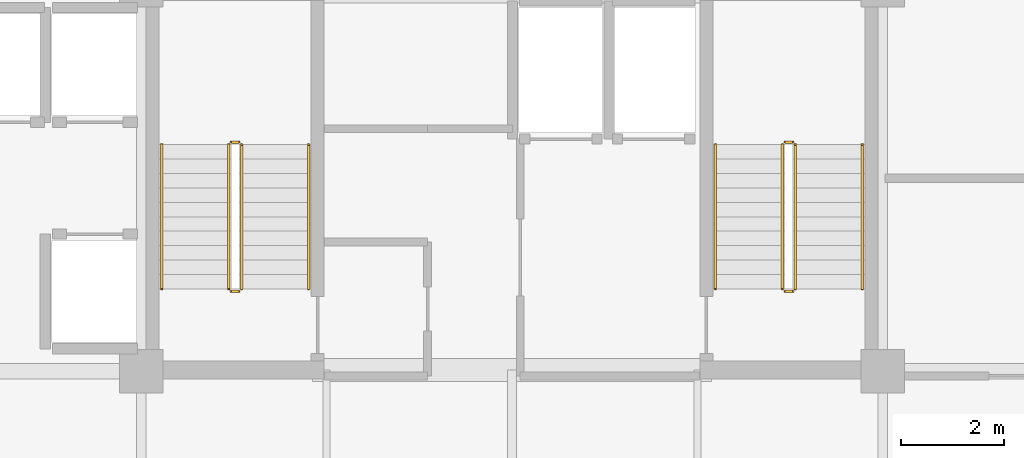
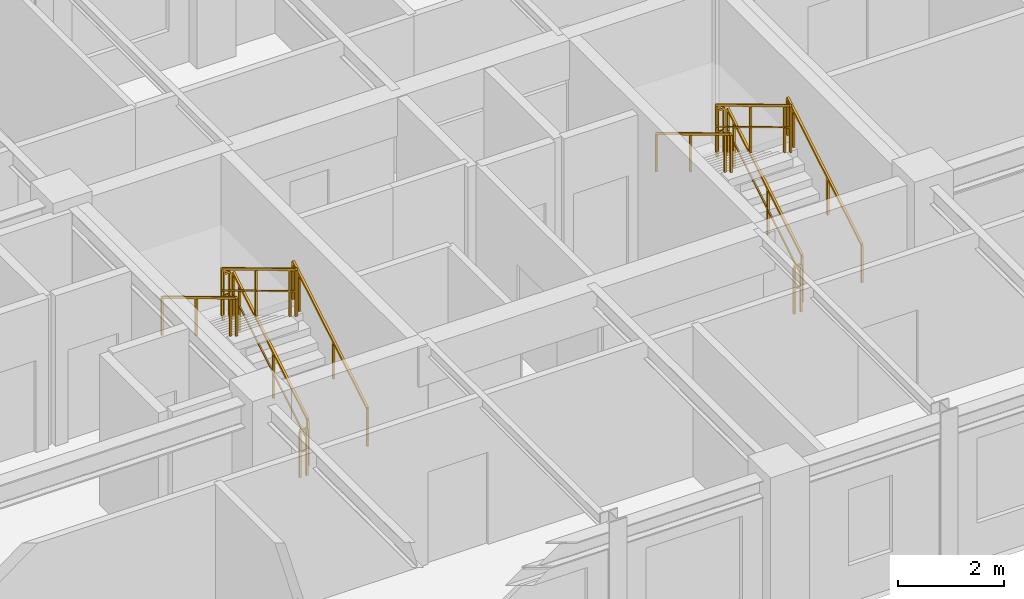
# One storey, part 10 of 11: 12 railings.
"""IFC4 building model written with IfcOpenShell, lengths in metres."""

from ifc_helpers import new_model, si_unit, direction, frame, origin, origin_2d, place, context, subcontext, project, spatial, rectangle, extrude, material, type_object, element, save


model = new_model("IFC4")

# Units and contexts
model_context = context("Model", 3, precision=1e-05, world=origin(), true_north=direction((0.0, 1.0)))
body_context = subcontext(model_context, "Body", "Model", "MODEL_VIEW")
ifc_project = project(units=[si_unit("LENGTHUNIT", "METRE"), si_unit("AREAUNIT", "SQUARE_METRE"), si_unit("VOLUMEUNIT", "CUBIC_METRE"), si_unit("PLANEANGLEUNIT", "RADIAN"), si_unit("MASSUNIT", "GRAM", prefix="KILO")], contexts=[model_context])

# Site, building, storey
site_placement = place(None, origin())
site = spatial("IfcSite", under=ifc_project, at=site_placement, CompositionType="ELEMENT")
building_placement = place(site_placement, origin())
building = spatial("IfcBuilding", under=site, at=building_placement, Name="Kaliganga Portal Commons", CompositionType="ELEMENT")
storey_placement = place(building_placement, frame((0.0, 0.0, 253.60009765625)))
storey = spatial("IfcBuildingStorey", under=building, at=storey_placement, Name="L65", CompositionType="ELEMENT", Elevation=253.60009765625)

# Railings
ifc_material_1 = material(Name="Galvanized Painted Steel Balustrade", Category="steel")
railing_type_1 = type_object("IfcRailingType", Name="RLG-STAIR-GRD", PredefinedType="GUARDRAIL", material=ifc_material_1)
railing_1_placement = place(storey_placement, frame((16.35009765625, 30.25, 0.16796875)))
element("IfcRailing", 1, at=railing_1_placement, inside=storey, type_object=railing_type_1, Name="L65 ST-A1 stair guard 1", PredefinedType="GUARDRAIL", context=body_context, shape_type="SweptSolid", body=[
    extrude(rectangle(XDim=0.048095703125, YDim=0.048095703125, at=origin_2d()), frame((0.0, 0.0, 1.072021484375), z_axis=(0.0, 0.857242210791, 0.514913383045), x_axis=(-1.0, 0.0, 0.0)), (0.0, 0.0, 1.0), 3.266357421875),
    extrude(rectangle(XDim=0.028076171875, YDim=0.028076171875, at=origin_2d()), frame((0.0, 0.0, 0.572021484375), z_axis=(0.0, 0.857242210791, 0.514913383045), x_axis=(-1.0, 0.0, 0.0)), (0.0, 0.0, 1.0), 3.266357421875),
    extrude(rectangle(XDim=0.0419921875, YDim=0.0419921875, at=origin_2d()), origin(), (0.0, 0.0, 1.0), 1.052001953125),
    extrude(rectangle(XDim=0.0419921875, YDim=0.0419921875, at=origin_2d()), frame((0.0, 1.285888671875, 0.7724609375)), (0.0, 0.0, 1.0), 1.052001953125),
    extrude(rectangle(XDim=0.0419921875, YDim=0.0419921875, at=origin_2d()), frame((0.0, 2.57177734375, 1.544677734375)), (0.0, 0.0, 1.0), 1.052001953125),
    extrude(rectangle(XDim=0.0419921875, YDim=0.0419921875, at=origin_2d()), frame((0.0, 2.800048828125, 1.681884765625)), (0.0, 0.0, 1.0), 1.052001953125),
])
railing_2_placement = place(storey_placement, frame((16.300048828125, 33.10009765625, 1.849853515625)))
element("IfcRailing", 2, at=railing_2_placement, inside=storey, type_object=railing_type_1, Name="L65 ST-A1 stair guard 2", PredefinedType="GUARDRAIL", context=body_context, shape_type="SweptSolid", body=[
    extrude(rectangle(XDim=0.048095703125, YDim=0.048095703125, at=origin_2d()), frame((0.0, 0.0, 1.076171875), z_axis=(-1.0, 0.0, 0.0), x_axis=(0.0, -1.0, 0.0)), (0.0, 0.0, 1.0), 0.150146484375),
    extrude(rectangle(XDim=0.028076171875, YDim=0.028076171875, at=origin_2d()), frame((0.0, 0.0, 0.572021484375), z_axis=(-1.0, 0.0, 0.0), x_axis=(0.0, -1.0, 0.0)), (0.0, 0.0, 1.0), 0.150146484375),
    extrude(rectangle(XDim=0.0419921875, YDim=0.0419921875, at=origin_2d()), origin(), (0.0, 0.0, 1.0), 1.052001953125),
    extrude(rectangle(XDim=0.0419921875, YDim=0.0419921875, at=origin_2d()), frame((-0.150146484375, 0.0, 0.0)), (0.0, 0.0, 1.0), 1.052001953125),
])
railing_3_placement = place(storey_placement, frame((16.10009765625, 33.050048828125, 2.01806640625)))
element("IfcRailing", 3, at=railing_3_placement, inside=storey, type_object=railing_type_1, Name="L65 ST-A1 stair guard 3", PredefinedType="GUARDRAIL", context=body_context, shape_type="SweptSolid", body=[
    extrude(rectangle(XDim=0.048095703125, YDim=0.048095703125, at=origin_2d()), frame((0.0, 0.0, 1.072021484375), z_axis=(0.0, -0.857242210791, 0.514913383045), x_axis=(1.0, 0.0, 0.0)), (0.0, 0.0, 1.0), 3.266357421875),
    extrude(rectangle(XDim=0.028076171875, YDim=0.028076171875, at=origin_2d()), frame((0.0, 0.0, 0.572021484375), z_axis=(0.0, -0.857242210791, 0.514913383045), x_axis=(1.0, 0.0, 0.0)), (0.0, 0.0, 1.0), 3.266357421875),
    extrude(rectangle(XDim=0.0419921875, YDim=0.0419921875, at=origin_2d()), origin(), (0.0, 0.0, 1.0), 1.052001953125),
    extrude(rectangle(XDim=0.0419921875, YDim=0.0419921875, at=origin_2d()), frame((0.0, -1.285888671875, 0.7724609375)), (0.0, 0.0, 1.0), 1.052001953125),
    extrude(rectangle(XDim=0.0419921875, YDim=0.0419921875, at=origin_2d()), frame((0.0, -2.57177734375, 1.544677734375)), (0.0, 0.0, 1.0), 1.052001953125),
    extrude(rectangle(XDim=0.0419921875, YDim=0.0419921875, at=origin_2d()), frame((0.0, -2.800048828125, 1.681884765625)), (0.0, 0.0, 1.0), 1.052001953125),
])
railing_4_placement = place(storey_placement, frame((16.300048828125, 30.199951171875, 0.0)))
element("IfcRailing", 4, at=railing_4_placement, inside=storey, type_object=railing_type_1, Name="L65 ST-A1 stair guard 4", PredefinedType="GUARDRAIL", context=body_context, shape_type="SweptSolid", body=[
    extrude(rectangle(XDim=0.048095703125, YDim=0.048095703125, at=origin_2d()), frame((0.0, 0.0, 1.076171875), z_axis=(-1.0, 0.0, 0.0), x_axis=(0.0, -1.0, 0.0)), (0.0, 0.0, 1.0), 0.150146484375),
    extrude(rectangle(XDim=0.028076171875, YDim=0.028076171875, at=origin_2d()), frame((0.0, 0.0, 0.572021484375), z_axis=(-1.0, 0.0, 0.0), x_axis=(0.0, -1.0, 0.0)), (0.0, 0.0, 1.0), 0.150146484375),
    extrude(rectangle(XDim=0.0419921875, YDim=0.0419921875, at=origin_2d()), origin(), (0.0, 0.0, 1.0), 1.052001953125),
    extrude(rectangle(XDim=0.0419921875, YDim=0.0419921875, at=origin_2d()), frame((-0.150146484375, 0.0, 0.0)), (0.0, 0.0, 1.0), 1.052001953125),
])
railing_5_placement = place(storey_placement, frame((27.10009765625, 30.25, 0.16796875)))
element("IfcRailing", 5, at=railing_5_placement, inside=storey, type_object=railing_type_1, Name="L65 ST-A2 stair guard 1", PredefinedType="GUARDRAIL", context=body_context, shape_type="SweptSolid", body=[
    extrude(rectangle(XDim=0.048095703125, YDim=0.048095703125, at=origin_2d()), frame((0.0, 0.0, 1.072021484375), z_axis=(0.0, 0.857242210791, 0.514913383045), x_axis=(-1.0, 0.0, 0.0)), (0.0, 0.0, 1.0), 3.266357421875),
    extrude(rectangle(XDim=0.028076171875, YDim=0.028076171875, at=origin_2d()), frame((0.0, 0.0, 0.572021484375), z_axis=(0.0, 0.857242210791, 0.514913383045), x_axis=(-1.0, 0.0, 0.0)), (0.0, 0.0, 1.0), 3.266357421875),
    extrude(rectangle(XDim=0.0419921875, YDim=0.0419921875, at=origin_2d()), origin(), (0.0, 0.0, 1.0), 1.052001953125),
    extrude(rectangle(XDim=0.0419921875, YDim=0.0419921875, at=origin_2d()), frame((0.0, 1.285888671875, 0.7724609375)), (0.0, 0.0, 1.0), 1.052001953125),
    extrude(rectangle(XDim=0.0419921875, YDim=0.0419921875, at=origin_2d()), frame((0.0, 2.57177734375, 1.544677734375)), (0.0, 0.0, 1.0), 1.052001953125),
    extrude(rectangle(XDim=0.0419921875, YDim=0.0419921875, at=origin_2d()), frame((0.0, 2.800048828125, 1.681884765625)), (0.0, 0.0, 1.0), 1.052001953125),
])
railing_6_placement = place(storey_placement, frame((27.050048828125, 33.10009765625, 1.849853515625)))
element("IfcRailing", 6, at=railing_6_placement, inside=storey, type_object=railing_type_1, Name="L65 ST-A2 stair guard 2", PredefinedType="GUARDRAIL", context=body_context, shape_type="SweptSolid", body=[
    extrude(rectangle(XDim=0.048095703125, YDim=0.048095703125, at=origin_2d()), frame((0.0, 0.0, 1.076171875), z_axis=(-1.0, 0.0, 0.0), x_axis=(0.0, -1.0, 0.0)), (0.0, 0.0, 1.0), 0.150146484375),
    extrude(rectangle(XDim=0.028076171875, YDim=0.028076171875, at=origin_2d()), frame((0.0, 0.0, 0.572021484375), z_axis=(-1.0, 0.0, 0.0), x_axis=(0.0, -1.0, 0.0)), (0.0, 0.0, 1.0), 0.150146484375),
    extrude(rectangle(XDim=0.0419921875, YDim=0.0419921875, at=origin_2d()), origin(), (0.0, 0.0, 1.0), 1.052001953125),
    extrude(rectangle(XDim=0.0419921875, YDim=0.0419921875, at=origin_2d()), frame((-0.150146484375, 0.0, 0.0)), (0.0, 0.0, 1.0), 1.052001953125),
])
railing_7_placement = place(storey_placement, frame((26.85009765625, 33.050048828125, 2.01806640625)))
element("IfcRailing", 7, at=railing_7_placement, inside=storey, type_object=railing_type_1, Name="L65 ST-A2 stair guard 3", PredefinedType="GUARDRAIL", context=body_context, shape_type="SweptSolid", body=[
    extrude(rectangle(XDim=0.048095703125, YDim=0.048095703125, at=origin_2d()), frame((0.0, 0.0, 1.072021484375), z_axis=(0.0, -0.857242210791, 0.514913383045), x_axis=(1.0, 0.0, 0.0)), (0.0, 0.0, 1.0), 3.266357421875),
    extrude(rectangle(XDim=0.028076171875, YDim=0.028076171875, at=origin_2d()), frame((0.0, 0.0, 0.572021484375), z_axis=(0.0, -0.857242210791, 0.514913383045), x_axis=(1.0, 0.0, 0.0)), (0.0, 0.0, 1.0), 3.266357421875),
    extrude(rectangle(XDim=0.0419921875, YDim=0.0419921875, at=origin_2d()), origin(), (0.0, 0.0, 1.0), 1.052001953125),
    extrude(rectangle(XDim=0.0419921875, YDim=0.0419921875, at=origin_2d()), frame((0.0, -1.285888671875, 0.7724609375)), (0.0, 0.0, 1.0), 1.052001953125),
    extrude(rectangle(XDim=0.0419921875, YDim=0.0419921875, at=origin_2d()), frame((0.0, -2.57177734375, 1.544677734375)), (0.0, 0.0, 1.0), 1.052001953125),
    extrude(rectangle(XDim=0.0419921875, YDim=0.0419921875, at=origin_2d()), frame((0.0, -2.800048828125, 1.681884765625)), (0.0, 0.0, 1.0), 1.052001953125),
])
railing_8_placement = place(storey_placement, frame((27.050048828125, 30.199951171875, 0.0)))
element("IfcRailing", 8, at=railing_8_placement, inside=storey, type_object=railing_type_1, Name="L65 ST-A2 stair guard 4", PredefinedType="GUARDRAIL", context=body_context, shape_type="SweptSolid", body=[
    extrude(rectangle(XDim=0.048095703125, YDim=0.048095703125, at=origin_2d()), frame((0.0, 0.0, 1.076171875), z_axis=(-1.0, 0.0, 0.0), x_axis=(0.0, -1.0, 0.0)), (0.0, 0.0, 1.0), 0.150146484375),
    extrude(rectangle(XDim=0.028076171875, YDim=0.028076171875, at=origin_2d()), frame((0.0, 0.0, 0.572021484375), z_axis=(-1.0, 0.0, 0.0), x_axis=(0.0, -1.0, 0.0)), (0.0, 0.0, 1.0), 0.150146484375),
    extrude(rectangle(XDim=0.0419921875, YDim=0.0419921875, at=origin_2d()), origin(), (0.0, 0.0, 1.0), 1.052001953125),
    extrude(rectangle(XDim=0.0419921875, YDim=0.0419921875, at=origin_2d()), frame((-0.150146484375, 0.0, 0.0)), (0.0, 0.0, 1.0), 1.052001953125),
])
ifc_material_2 = material(Name="Brushed Stainless Steel 316", Category="steel")
railing_type_2 = type_object("IfcRailingType", Name="RLG-STAIR-HR", PredefinedType="HANDRAIL", material=ifc_material_2)
railing_9_placement = place(storey_placement, frame((17.64990234375, 30.25, 0.16796875)))
element("IfcRailing", 9, at=railing_9_placement, inside=storey, type_object=railing_type_2, Name="L65 ST-A1 stair handrail 1", PredefinedType="HANDRAIL", context=body_context, shape_type="SweptSolid", body=[
    extrude(rectangle(XDim=0.048095703125, YDim=0.048095703125, at=origin_2d()), frame((0.0, 0.0, 0.871826171875), z_axis=(0.0, 0.857242210791, 0.514913383045), x_axis=(-1.0, 0.0, 0.0)), (0.0, 0.0, 1.0), 3.266357421875),
    extrude(rectangle(XDim=0.0419921875, YDim=0.0419921875, at=origin_2d()), origin(), (0.0, 0.0, 1.0), 0.851806640625),
    extrude(rectangle(XDim=0.0419921875, YDim=0.0419921875, at=origin_2d()), frame((0.0, 1.285888671875, 0.7724609375)), (0.0, 0.0, 1.0), 0.851806640625),
    extrude(rectangle(XDim=0.0419921875, YDim=0.0419921875, at=origin_2d()), frame((0.0, 2.57177734375, 1.544677734375)), (0.0, 0.0, 1.0), 0.851806640625),
    extrude(rectangle(XDim=0.0419921875, YDim=0.0419921875, at=origin_2d()), frame((0.0, 2.800048828125, 1.681884765625)), (0.0, 0.0, 1.0), 0.851806640625),
])
railing_10_placement = place(storey_placement, frame((14.800048828125, 33.050048828125, 2.01806640625)))
element("IfcRailing", 10, at=railing_10_placement, inside=storey, type_object=railing_type_2, Name="L65 ST-A1 stair handrail 2", PredefinedType="HANDRAIL", context=body_context, shape_type="SweptSolid", body=[
    extrude(rectangle(XDim=0.048095703125, YDim=0.048095703125, at=origin_2d()), frame((0.0, 0.0, 0.871826171875), z_axis=(0.0, -0.857242210791, 0.514913383045), x_axis=(1.0, 0.0, 0.0)), (0.0, 0.0, 1.0), 3.266357421875),
    extrude(rectangle(XDim=0.0419921875, YDim=0.0419921875, at=origin_2d()), origin(), (0.0, 0.0, 1.0), 0.851806640625),
    extrude(rectangle(XDim=0.0419921875, YDim=0.0419921875, at=origin_2d()), frame((0.0, -1.285888671875, 0.7724609375)), (0.0, 0.0, 1.0), 0.851806640625),
    extrude(rectangle(XDim=0.0419921875, YDim=0.0419921875, at=origin_2d()), frame((0.0, -2.57177734375, 1.544677734375)), (0.0, 0.0, 1.0), 0.851806640625),
    extrude(rectangle(XDim=0.0419921875, YDim=0.0419921875, at=origin_2d()), frame((0.0, -2.800048828125, 1.681884765625)), (0.0, 0.0, 1.0), 0.851806640625),
])
railing_11_placement = place(storey_placement, frame((28.39990234375, 30.25, 0.16796875)))
element("IfcRailing", 11, at=railing_11_placement, inside=storey, type_object=railing_type_2, Name="L65 ST-A2 stair handrail 1", PredefinedType="HANDRAIL", context=body_context, shape_type="SweptSolid", body=[
    extrude(rectangle(XDim=0.048095703125, YDim=0.048095703125, at=origin_2d()), frame((0.0, 0.0, 0.871826171875), z_axis=(0.0, 0.857242210791, 0.514913383045), x_axis=(-1.0, 0.0, 0.0)), (0.0, 0.0, 1.0), 3.266357421875),
    extrude(rectangle(XDim=0.0419921875, YDim=0.0419921875, at=origin_2d()), origin(), (0.0, 0.0, 1.0), 0.851806640625),
    extrude(rectangle(XDim=0.0419921875, YDim=0.0419921875, at=origin_2d()), frame((0.0, 1.285888671875, 0.7724609375)), (0.0, 0.0, 1.0), 0.851806640625),
    extrude(rectangle(XDim=0.0419921875, YDim=0.0419921875, at=origin_2d()), frame((0.0, 2.57177734375, 1.544677734375)), (0.0, 0.0, 1.0), 0.851806640625),
    extrude(rectangle(XDim=0.0419921875, YDim=0.0419921875, at=origin_2d()), frame((0.0, 2.800048828125, 1.681884765625)), (0.0, 0.0, 1.0), 0.851806640625),
])
railing_12_placement = place(storey_placement, frame((25.550048828125, 33.050048828125, 2.01806640625)))
element("IfcRailing", 12, at=railing_12_placement, inside=storey, type_object=railing_type_2, Name="L65 ST-A2 stair handrail 2", PredefinedType="HANDRAIL", context=body_context, shape_type="SweptSolid", body=[
    extrude(rectangle(XDim=0.048095703125, YDim=0.048095703125, at=origin_2d()), frame((0.0, 0.0, 0.871826171875), z_axis=(0.0, -0.857242210791, 0.514913383045), x_axis=(1.0, 0.0, 0.0)), (0.0, 0.0, 1.0), 3.266357421875),
    extrude(rectangle(XDim=0.0419921875, YDim=0.0419921875, at=origin_2d()), origin(), (0.0, 0.0, 1.0), 0.851806640625),
    extrude(rectangle(XDim=0.0419921875, YDim=0.0419921875, at=origin_2d()), frame((0.0, -1.285888671875, 0.7724609375)), (0.0, 0.0, 1.0), 0.851806640625),
    extrude(rectangle(XDim=0.0419921875, YDim=0.0419921875, at=origin_2d()), frame((0.0, -2.57177734375, 1.544677734375)), (0.0, 0.0, 1.0), 0.851806640625),
    extrude(rectangle(XDim=0.0419921875, YDim=0.0419921875, at=origin_2d()), frame((0.0, -2.800048828125, 1.681884765625)), (0.0, 0.0, 1.0), 0.851806640625),
])

save(model, "model.ifc")
